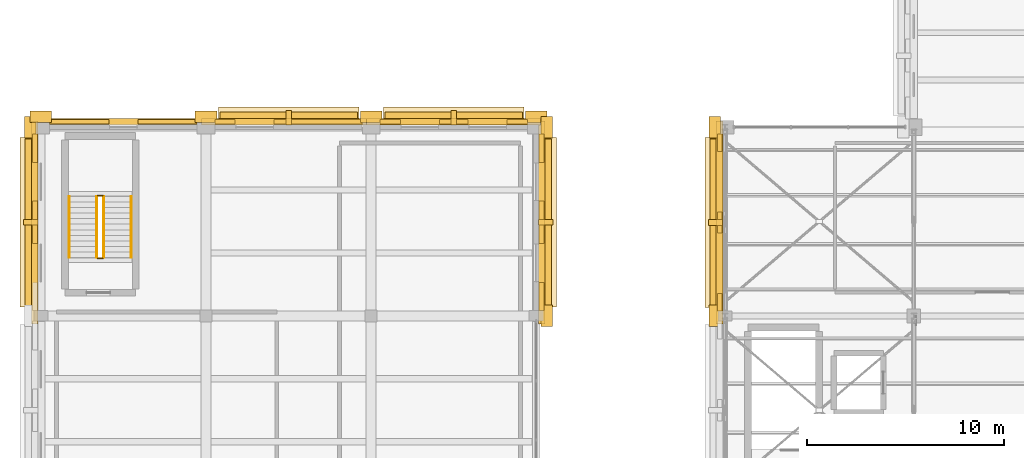
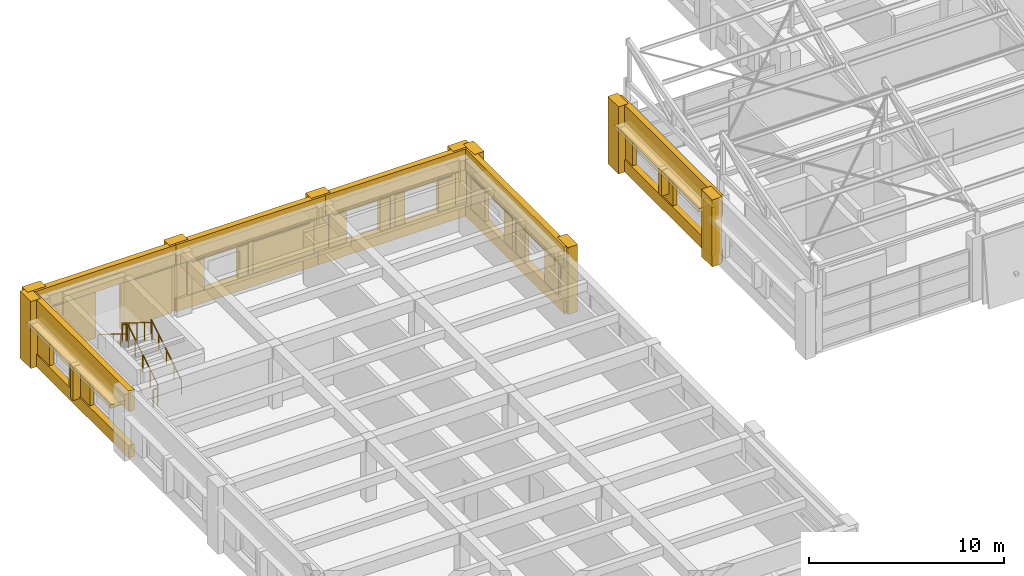
# One storey, part 54 of 58: 45 coverings, 6 railings, 5 shading devices.
"""IFC4 building model written with IfcOpenShell, lengths in metres."""

from ifc_helpers import new_model, si_unit, direction, frame, origin, origin_2d, place, context, subcontext, project, spatial, rectangle, circle, extrude, material, layer, layer_set, type_object, element, save


model = new_model("IFC4")

# Units and contexts
model_context = context("Model", 3, precision=1e-05, world=origin(), true_north=direction((0.0, 1.0)))
body_context = subcontext(model_context, "Body", "Model", "MODEL_VIEW")
ifc_project = project(units=[si_unit("LENGTHUNIT", "METRE"), si_unit("AREAUNIT", "SQUARE_METRE"), si_unit("VOLUMEUNIT", "CUBIC_METRE"), si_unit("PLANEANGLEUNIT", "RADIAN"), si_unit("MASSUNIT", "GRAM", prefix="KILO")], contexts=[model_context])

# Site, building, storey
site_placement = place(None, origin())
site = spatial("IfcSite", under=ifc_project, at=site_placement, CompositionType="ELEMENT")
building_placement = place(site_placement, origin())
building = spatial("IfcBuilding", under=site, at=building_placement, Name="Bempovik Park Faculty of Sciences", CompositionType="ELEMENT")
storey_placement = place(building_placement, frame((0.0, 0.0, 18.300048828125)))
storey = spatial("IfcBuildingStorey", under=building, at=storey_placement, Name="L04", CompositionType="ELEMENT", Elevation=18.300048828125)

# Coverings
ifc_material_1 = material(Name="Precast concrete C40/50", Category="concrete")
ifc_layer_1 = layer(ifc_material_1, 0.179931640625)
ifc_layer_set_1 = layer_set([ifc_layer_1], Name="Precast concrete C40/50")
covering_type_1 = type_object("IfcCoveringType", Name="CL-02 Classical Cornice Band 180mm", PredefinedType="CLADDING", material=ifc_layer_set_1)
covering_1_placement = place(storey_placement, frame((15.0, 82.159912109375, 2.81005859375), z_axis=(0.0, 0.0, 1.0), x_axis=(1.0, 0.0, 0.0)))
element("IfcCovering", 1, at=covering_1_placement, inside=storey, type_object=covering_type_1, Name="L04 Classical Stone Solar Window Hood EW-L04-9340", PredefinedType="CLADDING", context=body_context, shape_type="SweptSolid", body=[
    extrude(rectangle(XDim=0.919921875, YDim=8.6259765625, at=origin_2d()), origin(), (0.0, 0.0, 1.0), 0.219970703125),
])
for number, where, z_axis, x_axis, name in (
    (2, (28.199951171875, 87.570068359375, 2.81005859375), (0.0, 0.0, 1.0), (1.0, 0.0, 0.0), "L04 Classical Stone Solar Window Hood EW-L04-9359"),
    (3, (36.60009765625, 87.570068359375, 2.81005859375), (0.0, 0.0, 1.0), (1.0, 0.0, 0.0), "L04 Classical Stone Solar Window Hood EW-L04-9369"),
):
    element("IfcCovering", number, at=place(storey_placement, frame(where, z_axis=z_axis, x_axis=x_axis)), inside=storey, type_object=covering_type_1, Name=name, PredefinedType="CLADDING", context=body_context, shape_type="SweptSolid", body=[
        extrude(rectangle(XDim=7.14599609375, YDim=0.919921875, at=origin_2d()), origin(), (0.0, 0.0, 1.0), 0.219970703125),
    ])
covering_2_placement = place(storey_placement, frame((41.3701171875, 82.159912109375, 2.81005859375), z_axis=(0.0, 0.0, 1.0), x_axis=(1.0, 0.0, 0.0)))
element("IfcCovering", 4, at=covering_2_placement, inside=storey, type_object=covering_type_1, Name="L04 Classical Stone Solar Window Hood EW-L04-9430", PredefinedType="CLADDING", context=body_context, shape_type="SweptSolid", body=[
    extrude(rectangle(XDim=0.919921875, YDim=8.6259765625, at=origin_2d()), origin(), (0.0, 0.0, 1.0), 0.219970703125),
])
covering_3_placement = place(storey_placement, frame((49.830078125, 82.14990234375, 2.91015625), z_axis=(0.0, 0.0, 1.0), x_axis=(1.0, 0.0, 0.0)))
element("IfcCovering", 5, at=covering_3_placement, inside=storey, type_object=covering_type_1, Name="L04 Classical Stone Solar Window Hood EW-L04-9671", PredefinedType="CLADDING", context=body_context, shape_type="SweptSolid", body=[
    extrude(rectangle(XDim=0.919921875, YDim=8.64599609375, at=origin_2d()), origin(), (0.0, 0.0, 1.0), 0.219970703125),
])
ifc_material_2 = material(Name="White reconstituted limestone precast C40/50", Category="masonry")
ifc_layer_2 = layer(ifc_material_2, 0.239990234375)
ifc_layer_set_2 = layer_set([ifc_layer_2], Name="White reconstituted limestone precast C40/50")
covering_type_2 = type_object("IfcCoveringType", Name="CL-03 Classical Fluted Limestone Pilaster 240mm", PredefinedType="CLADDING", material=ifc_layer_set_2)
covering_4_placement = place(storey_placement, frame((15.2900390625, 82.159912109375, 2.919921875), z_axis=(0.0, 0.0, 1.0), x_axis=(1.0, 0.0, 0.0)))
element("IfcCovering", 6, at=covering_4_placement, inside=storey, type_object=covering_type_2, Name="L04 Classical Limestone Spandrel Entablature EW-L04-9340", PredefinedType="CLADDING", context=body_context, shape_type="SweptSolid", body=[
    extrude(rectangle(XDim=0.340087890625, YDim=10.325927734375, at=origin_2d()), origin(), (0.0, 0.0, 1.0), 1.280029296875),
])
covering_5_placement = place(storey_placement, frame((15.2900390625, 82.159912109375, 0.0), z_axis=(0.0, 0.0, 1.0), x_axis=(1.0, 0.0, 0.0)))
element("IfcCovering", 7, at=covering_5_placement, inside=storey, type_object=covering_type_2, Name="L04 Classical Limestone Sill Dado EW-L04-9340", PredefinedType="CLADDING", context=body_context, shape_type="SweptSolid", body=[
    extrude(rectangle(XDim=0.340087890625, YDim=10.325927734375, at=origin_2d()), origin(), (0.0, 0.0, 1.0), 0.780029296875),
])
covering_6_placement = place(storey_placement, frame((15.070068359375, 87.0, 0.0), z_axis=(0.0, 0.0, 1.0), x_axis=(1.0, 0.0, 0.0)))
element("IfcCovering", 8, at=covering_6_placement, inside=storey, type_object=covering_type_2, Name="L04 Classical Fluted Stone Pilaster PIL-BA-L04-151-870", PredefinedType="CLADDING", context=body_context, shape_type="SweptSolid", body=[
    extrude(rectangle(XDim=0.580078125, YDim=1.10009765625, at=origin_2d()), origin(), (0.0, 0.0, 1.0), 4.199951171875),
])
covering_7_placement = place(storey_placement, frame((15.300048828125, 82.159912109375, 0.0), z_axis=(0.0, 0.0, 1.0), x_axis=(1.0, 0.0, 0.0)))
element("IfcCovering", 9, at=covering_7_placement, inside=storey, type_object=covering_type_2, Name="L04 White Limestone Wall Cheek EW-L04-9340-2", PredefinedType="CLADDING", context=body_context, shape_type="SweptSolid", body=[
    extrude(rectangle(XDim=0.239990234375, YDim=2.14892578125, at=origin_2d()), origin(), (0.0, 0.0, 1.0), 3.080078125),
])
covering_8_placement = place(storey_placement, frame((15.300048828125, 85.93115234375, 0.0), z_axis=(0.0, 0.0, 1.0), x_axis=(1.0, 0.0, 0.0)))
element("IfcCovering", 10, at=covering_8_placement, inside=storey, type_object=covering_type_2, Name="L04 White Limestone Wall Cheek EW-L04-9340-4", PredefinedType="CLADDING", context=body_context, shape_type="SweptSolid", body=[
    extrude(rectangle(XDim=0.239990234375, YDim=1.43359375, at=origin_2d()), origin(), (0.0, 0.0, 1.0), 3.080078125),
])
covering_9_placement = place(storey_placement, frame((15.090087890625, 82.159912109375, 0.699951171875), z_axis=(0.0, 0.0, 1.0), x_axis=(1.0, 0.0, 0.0)))
element("IfcCovering", 11, at=covering_9_placement, inside=storey, type_object=covering_type_2, Name="L04 Classical Vertical Stone Shading Fin EW-L04-9340", PredefinedType="CLADDING", context=body_context, shape_type="SweptSolid", body=[
    extrude(rectangle(XDim=0.719970703125, YDim=0.280029296875, at=origin_2d()), origin(), (0.0, 0.0, 1.0), 2.14990234375),
])
covering_10_placement = place(storey_placement, frame((19.800048828125, 87.280029296875, 2.919921875), z_axis=(0.0, 0.0, 1.0), x_axis=(1.0, 0.0, 0.0)))
element("IfcCovering", 12, at=covering_10_placement, inside=storey, type_object=covering_type_2, Name="L04 Classical Limestone Spandrel Entablature EW-L04-9352", PredefinedType="CLADDING", context=body_context, shape_type="SweptSolid", body=[
    extrude(rectangle(XDim=8.845947265625, YDim=0.340087890625, at=origin_2d()), origin(), (0.0, 0.0, 1.0), 1.280029296875),
])
for number, where, z_axis, x_axis, name in (
    (13, (15.60009765625, 87.530029296875, 0.0), (0.0, 0.0, 1.0), (1.0, 0.0, 0.0), "L04 Classical Fluted Stone Pilaster PIL-BA-L04-156-875"),
    (14, (24.0, 87.530029296875, 0.0), (0.0, 0.0, 1.0), (1.0, 0.0, 0.0), "L04 Classical Fluted Stone Pilaster PIL-BA-L04-240-875"),
):
    element("IfcCovering", number, at=place(storey_placement, frame(where, z_axis=z_axis, x_axis=x_axis)), inside=storey, type_object=covering_type_2, Name=name, PredefinedType="CLADDING", context=body_context, shape_type="SweptSolid", body=[
        extrude(rectangle(XDim=1.10009765625, YDim=0.580078125, at=origin_2d()), origin(), (0.0, 0.0, 1.0), 4.199951171875),
    ])
for number, where, z_axis, x_axis, name in (
    (15, (17.555908203125, 87.27001953125, 0.0), (0.0, 0.0, 1.0), (1.0, 0.0, 0.0), "L04 Stairwell White Limestone Cheek EW-L04-9352-1"),
    (16, (22.0439453125, 87.27001953125, 0.0), (0.0, 0.0, 1.0), (1.0, 0.0, 0.0), "L04 Stairwell White Limestone Cheek EW-L04-9352-2"),
):
    element("IfcCovering", number, at=place(storey_placement, frame(where, z_axis=z_axis, x_axis=x_axis)), inside=storey, type_object=covering_type_2, Name=name, PredefinedType="CLADDING", context=body_context, shape_type="SweptSolid", body=[
        extrude(rectangle(XDim=3.008056640625, YDim=0.239990234375, at=origin_2d()), origin(), (0.0, 0.0, 1.0), 3.080078125),
    ])
covering_11_placement = place(storey_placement, frame((28.199951171875, 87.280029296875, 2.919921875), z_axis=(0.0, 0.0, 1.0), x_axis=(1.0, 0.0, 0.0)))
element("IfcCovering", 17, at=covering_11_placement, inside=storey, type_object=covering_type_2, Name="L04 Classical Limestone Spandrel Entablature EW-L04-9359", PredefinedType="CLADDING", context=body_context, shape_type="SweptSolid", body=[
    extrude(rectangle(XDim=8.845947265625, YDim=0.340087890625, at=origin_2d()), origin(), (0.0, 0.0, 1.0), 1.280029296875),
])
covering_12_placement = place(storey_placement, frame((28.199951171875, 87.280029296875, 0.0), z_axis=(0.0, 0.0, 1.0), x_axis=(1.0, 0.0, 0.0)))
element("IfcCovering", 18, at=covering_12_placement, inside=storey, type_object=covering_type_2, Name="L04 Classical Limestone Sill Dado EW-L04-9359", PredefinedType="CLADDING", context=body_context, shape_type="SweptSolid", body=[
    extrude(rectangle(XDim=8.845947265625, YDim=0.340087890625, at=origin_2d()), origin(), (0.0, 0.0, 1.0), 0.780029296875),
])
covering_13_placement = place(storey_placement, frame((32.39990234375, 87.530029296875, 0.0), z_axis=(0.0, 0.0, 1.0), x_axis=(1.0, 0.0, 0.0)))
element("IfcCovering", 19, at=covering_13_placement, inside=storey, type_object=covering_type_2, Name="L04 Classical Fluted Stone Pilaster PIL-BA-L04-324-875", PredefinedType="CLADDING", context=body_context, shape_type="SweptSolid", body=[
    extrude(rectangle(XDim=1.10009765625, YDim=0.580078125, at=origin_2d()), origin(), (0.0, 0.0, 1.0), 4.199951171875),
])
covering_14_placement = place(storey_placement, frame((24.968994140625, 87.27001953125, 0.0), z_axis=(0.0, 0.0, 1.0), x_axis=(1.0, 0.0, 0.0)))
element("IfcCovering", 20, at=covering_14_placement, inside=storey, type_object=covering_type_2, Name="L04 White Limestone Wall Cheek EW-L04-9359-0", PredefinedType="CLADDING", context=body_context, shape_type="SweptSolid", body=[
    extrude(rectangle(XDim=1.033935546875, YDim=0.239990234375, at=origin_2d()), origin(), (0.0, 0.0, 1.0), 3.080078125),
])
covering_15_placement = place(storey_placement, frame((29.70703125, 87.27001953125, 0.0), z_axis=(0.0, 0.0, 1.0), x_axis=(1.0, 0.0, 0.0)))
element("IfcCovering", 21, at=covering_15_placement, inside=storey, type_object=covering_type_2, Name="L04 White Limestone Wall Cheek EW-L04-9359-2", PredefinedType="CLADDING", context=body_context, shape_type="SweptSolid", body=[
    extrude(rectangle(XDim=4.482177734375, YDim=0.239990234375, at=origin_2d()), origin(), (0.0, 0.0, 1.0), 3.080078125),
])
covering_16_placement = place(storey_placement, frame((28.199951171875, 87.47998046875, 0.699951171875), z_axis=(0.0, 0.0, 1.0), x_axis=(1.0, 0.0, 0.0)))
element("IfcCovering", 22, at=covering_16_placement, inside=storey, type_object=covering_type_2, Name="L04 Classical Vertical Stone Shading Fin EW-L04-9359", PredefinedType="CLADDING", context=body_context, shape_type="SweptSolid", body=[
    extrude(rectangle(XDim=0.280029296875, YDim=0.719970703125, at=origin_2d()), origin(), (0.0, 0.0, 1.0), 2.14990234375),
])
covering_17_placement = place(storey_placement, frame((36.60009765625, 87.280029296875, 2.919921875), z_axis=(0.0, 0.0, 1.0), x_axis=(1.0, 0.0, 0.0)))
element("IfcCovering", 23, at=covering_17_placement, inside=storey, type_object=covering_type_2, Name="L04 Classical Limestone Spandrel Entablature EW-L04-9369", PredefinedType="CLADDING", context=body_context, shape_type="SweptSolid", body=[
    extrude(rectangle(XDim=8.845947265625, YDim=0.340087890625, at=origin_2d()), origin(), (0.0, 0.0, 1.0), 1.280029296875),
])
covering_18_placement = place(storey_placement, frame((36.60009765625, 87.280029296875, 0.0), z_axis=(0.0, 0.0, 1.0), x_axis=(1.0, 0.0, 0.0)))
element("IfcCovering", 24, at=covering_18_placement, inside=storey, type_object=covering_type_2, Name="L04 Classical Limestone Sill Dado EW-L04-9369", PredefinedType="CLADDING", context=body_context, shape_type="SweptSolid", body=[
    extrude(rectangle(XDim=8.845947265625, YDim=0.340087890625, at=origin_2d()), origin(), (0.0, 0.0, 1.0), 0.780029296875),
])
covering_19_placement = place(storey_placement, frame((40.800048828125, 87.530029296875, 0.0), z_axis=(0.0, 0.0, 1.0), x_axis=(1.0, 0.0, 0.0)))
element("IfcCovering", 25, at=covering_19_placement, inside=storey, type_object=covering_type_2, Name="L04 Classical Fluted Stone Pilaster PIL-BA-L04-408-875", PredefinedType="CLADDING", context=body_context, shape_type="SweptSolid", body=[
    extrude(rectangle(XDim=1.10009765625, YDim=0.580078125, at=origin_2d()), origin(), (0.0, 0.0, 1.0), 4.199951171875),
])
covering_20_placement = place(storey_placement, frame((33.368896484375, 87.27001953125, 0.0), z_axis=(0.0, 0.0, 1.0), x_axis=(1.0, 0.0, 0.0)))
element("IfcCovering", 26, at=covering_20_placement, inside=storey, type_object=covering_type_2, Name="L04 White Limestone Wall Cheek EW-L04-9369-0", PredefinedType="CLADDING", context=body_context, shape_type="SweptSolid", body=[
    extrude(rectangle(XDim=1.033935546875, YDim=0.239990234375, at=origin_2d()), origin(), (0.0, 0.0, 1.0), 3.080078125),
])
covering_21_placement = place(storey_placement, frame((36.60009765625, 87.27001953125, 0.0), z_axis=(0.0, 0.0, 1.0), x_axis=(1.0, 0.0, 0.0)))
element("IfcCovering", 27, at=covering_21_placement, inside=storey, type_object=covering_type_2, Name="L04 White Limestone Wall Cheek EW-L04-9369-2", PredefinedType="CLADDING", context=body_context, shape_type="SweptSolid", body=[
    extrude(rectangle(XDim=1.46826171875, YDim=0.239990234375, at=origin_2d()), origin(), (0.0, 0.0, 1.0), 3.080078125),
])
covering_22_placement = place(storey_placement, frame((39.8310546875, 87.27001953125, 0.0), z_axis=(0.0, 0.0, 1.0), x_axis=(1.0, 0.0, 0.0)))
element("IfcCovering", 28, at=covering_22_placement, inside=storey, type_object=covering_type_2, Name="L04 White Limestone Wall Cheek EW-L04-9369-4", PredefinedType="CLADDING", context=body_context, shape_type="SweptSolid", body=[
    extrude(rectangle(XDim=1.033935546875, YDim=0.239990234375, at=origin_2d()), origin(), (0.0, 0.0, 1.0), 3.080078125),
])
covering_23_placement = place(storey_placement, frame((36.60009765625, 87.47998046875, 0.699951171875), z_axis=(0.0, 0.0, 1.0), x_axis=(1.0, 0.0, 0.0)))
element("IfcCovering", 29, at=covering_23_placement, inside=storey, type_object=covering_type_2, Name="L04 Classical Vertical Stone Shading Fin EW-L04-9369", PredefinedType="CLADDING", context=body_context, shape_type="SweptSolid", body=[
    extrude(rectangle(XDim=0.280029296875, YDim=0.719970703125, at=origin_2d()), origin(), (0.0, 0.0, 1.0), 2.14990234375),
])
covering_24_placement = place(storey_placement, frame((41.080078125, 82.159912109375, 2.919921875), z_axis=(0.0, 0.0, 1.0), x_axis=(1.0, 0.0, 0.0)))
element("IfcCovering", 30, at=covering_24_placement, inside=storey, type_object=covering_type_2, Name="L04 Classical Limestone Spandrel Entablature EW-L04-9430", PredefinedType="CLADDING", context=body_context, shape_type="SweptSolid", body=[
    extrude(rectangle(XDim=0.340087890625, YDim=10.325927734375, at=origin_2d()), origin(), (0.0, 0.0, 1.0), 1.280029296875),
])
covering_25_placement = place(storey_placement, frame((41.080078125, 82.159912109375, 0.0), z_axis=(0.0, 0.0, 1.0), x_axis=(1.0, 0.0, 0.0)))
element("IfcCovering", 31, at=covering_25_placement, inside=storey, type_object=covering_type_2, Name="L04 Classical Limestone Sill Dado EW-L04-9430", PredefinedType="CLADDING", context=body_context, shape_type="SweptSolid", body=[
    extrude(rectangle(XDim=0.340087890625, YDim=10.325927734375, at=origin_2d()), origin(), (0.0, 0.0, 1.0), 0.780029296875),
])
for number, where, z_axis, x_axis, name in (
    (32, (41.330078125, 77.39990234375, 0.0), (0.0, 0.0, 1.0), (1.0, 0.0, 0.0), "L04 Classical Fluted Stone Pilaster PIL-BA-L04-413-774"),
    (33, (41.330078125, 87.0, 0.0), (0.0, 0.0, 1.0), (1.0, 0.0, 0.0), "L04 Classical Fluted Stone Pilaster PIL-BA-L04-413-870"),
):
    element("IfcCovering", number, at=place(storey_placement, frame(where, z_axis=z_axis, x_axis=x_axis)), inside=storey, type_object=covering_type_2, Name=name, PredefinedType="CLADDING", context=body_context, shape_type="SweptSolid", body=[
        extrude(rectangle(XDim=0.580078125, YDim=1.10009765625, at=origin_2d()), origin(), (0.0, 0.0, 1.0), 4.199951171875),
    ])
covering_26_placement = place(storey_placement, frame((41.070068359375, 78.388916015625, 0.0), z_axis=(0.0, 0.0, 1.0), x_axis=(1.0, 0.0, 0.0)))
element("IfcCovering", 34, at=covering_26_placement, inside=storey, type_object=covering_type_2, Name="L04 White Limestone Wall Cheek EW-L04-9430-0", PredefinedType="CLADDING", context=body_context, shape_type="SweptSolid", body=[
    extrude(rectangle(XDim=0.239990234375, YDim=1.43359375, at=origin_2d()), origin(), (0.0, 0.0, 1.0), 3.080078125),
])
covering_27_placement = place(storey_placement, frame((41.070068359375, 82.159912109375, 0.0), z_axis=(0.0, 0.0, 1.0), x_axis=(1.0, 0.0, 0.0)))
element("IfcCovering", 35, at=covering_27_placement, inside=storey, type_object=covering_type_2, Name="L04 White Limestone Wall Cheek EW-L04-9430-2", PredefinedType="CLADDING", context=body_context, shape_type="SweptSolid", body=[
    extrude(rectangle(XDim=0.239990234375, YDim=2.14892578125, at=origin_2d()), origin(), (0.0, 0.0, 1.0), 3.080078125),
])
covering_28_placement = place(storey_placement, frame((41.070068359375, 85.93115234375, 0.0), z_axis=(0.0, 0.0, 1.0), x_axis=(1.0, 0.0, 0.0)))
element("IfcCovering", 36, at=covering_28_placement, inside=storey, type_object=covering_type_2, Name="L04 White Limestone Wall Cheek EW-L04-9430-4", PredefinedType="CLADDING", context=body_context, shape_type="SweptSolid", body=[
    extrude(rectangle(XDim=0.239990234375, YDim=1.43359375, at=origin_2d()), origin(), (0.0, 0.0, 1.0), 3.080078125),
])
covering_29_placement = place(storey_placement, frame((41.280029296875, 82.159912109375, 0.699951171875), z_axis=(0.0, 0.0, 1.0), x_axis=(1.0, 0.0, 0.0)))
element("IfcCovering", 37, at=covering_29_placement, inside=storey, type_object=covering_type_2, Name="L04 Classical Vertical Stone Shading Fin EW-L04-9430", PredefinedType="CLADDING", context=body_context, shape_type="SweptSolid", body=[
    extrude(rectangle(XDim=0.719970703125, YDim=0.280029296875, at=origin_2d()), origin(), (0.0, 0.0, 1.0), 2.14990234375),
])
covering_30_placement = place(storey_placement, frame((49.8701171875, 77.39990234375, 0.0), z_axis=(0.0, 0.0, 1.0), x_axis=(1.0, 0.0, 0.0)))
element("IfcCovering", 38, at=covering_30_placement, inside=storey, type_object=covering_type_2, Name="L04 Classical Fluted Stone Pilaster PIL-BA-L04-499-774", PredefinedType="CLADDING", context=body_context, shape_type="SweptSolid", body=[
    extrude(rectangle(XDim=0.580078125, YDim=1.10009765625, at=origin_2d()), origin(), (0.0, 0.0, 1.0), 4.199951171875),
])
covering_31_placement = place(storey_placement, frame((50.1201171875, 82.14990234375, 2.919921875), z_axis=(0.0, 0.0, 1.0), x_axis=(1.0, 0.0, 0.0)))
element("IfcCovering", 39, at=covering_31_placement, inside=storey, type_object=covering_type_2, Name="L04 Classical Limestone Spandrel Entablature EW-L04-9671", PredefinedType="CLADDING", context=body_context, shape_type="SweptSolid", body=[
    extrude(rectangle(XDim=0.340087890625, YDim=10.345947265625, at=origin_2d()), origin(), (0.0, 0.0, 1.0), 1.280029296875),
])
covering_32_placement = place(storey_placement, frame((50.1201171875, 82.14990234375, 0.0), z_axis=(0.0, 0.0, 1.0), x_axis=(1.0, 0.0, 0.0)))
element("IfcCovering", 40, at=covering_32_placement, inside=storey, type_object=covering_type_2, Name="L04 Classical Limestone Sill Dado EW-L04-9671", PredefinedType="CLADDING", context=body_context, shape_type="SweptSolid", body=[
    extrude(rectangle(XDim=0.340087890625, YDim=10.345947265625, at=origin_2d()), origin(), (0.0, 0.0, 1.0), 0.780029296875),
])
covering_33_placement = place(storey_placement, frame((49.8701171875, 87.0, 0.0), z_axis=(0.0, 0.0, 1.0), x_axis=(1.0, 0.0, 0.0)))
element("IfcCovering", 41, at=covering_33_placement, inside=storey, type_object=covering_type_2, Name="L04 Classical Fluted Stone Pilaster PIL-BA-L04-499-870", PredefinedType="CLADDING", context=body_context, shape_type="SweptSolid", body=[
    extrude(rectangle(XDim=0.580078125, YDim=1.10009765625, at=origin_2d()), origin(), (0.0, 0.0, 1.0), 4.199951171875),
])
covering_34_placement = place(storey_placement, frame((50.1298828125, 78.096435546875, 0.0), z_axis=(0.0, 0.0, 1.0), x_axis=(1.0, 0.0, 0.0)))
element("IfcCovering", 42, at=covering_34_placement, inside=storey, type_object=covering_type_2, Name="L04 White Limestone Wall Cheek EW-L04-9671-0", PredefinedType="CLADDING", context=body_context, shape_type="SweptSolid", body=[
    extrude(rectangle(XDim=0.239990234375, YDim=0.888916015625, at=origin_2d()), origin(), (0.0, 0.0, 1.0), 3.080078125),
])
covering_35_placement = place(storey_placement, frame((50.1298828125, 82.14990234375, 0.0), z_axis=(0.0, 0.0, 1.0), x_axis=(1.0, 0.0, 0.0)))
element("IfcCovering", 43, at=covering_35_placement, inside=storey, type_object=covering_type_2, Name="L04 White Limestone Wall Cheek EW-L04-9671-2", PredefinedType="CLADDING", context=body_context, shape_type="SweptSolid", body=[
    extrude(rectangle(XDim=0.239990234375, YDim=1.05810546875, at=origin_2d()), origin(), (0.0, 0.0, 1.0), 3.080078125),
])
covering_36_placement = place(storey_placement, frame((50.1298828125, 86.20361328125, 0.0), z_axis=(0.0, 0.0, 1.0), x_axis=(1.0, 0.0, 0.0)))
element("IfcCovering", 44, at=covering_36_placement, inside=storey, type_object=covering_type_2, Name="L04 White Limestone Wall Cheek EW-L04-9671-4", PredefinedType="CLADDING", context=body_context, shape_type="SweptSolid", body=[
    extrude(rectangle(XDim=0.239990234375, YDim=0.888916015625, at=origin_2d()), origin(), (0.0, 0.0, 1.0), 3.080078125),
])
covering_37_placement = place(storey_placement, frame((49.919921875, 82.14990234375, 1.300048828125), z_axis=(0.0, 0.0, 1.0), x_axis=(1.0, 0.0, 0.0)))
element("IfcCovering", 45, at=covering_37_placement, inside=storey, type_object=covering_type_2, Name="L04 Classical Vertical Stone Shading Fin EW-L04-9671", PredefinedType="CLADDING", context=body_context, shape_type="SweptSolid", body=[
    extrude(rectangle(XDim=0.719970703125, YDim=0.280029296875, at=origin_2d()), origin(), (0.0, 0.0, 1.0), 1.64990234375),
])

# Railings
ifc_material_3 = material(Name="Anodised architectural bronze")
railing_type_1 = type_object("IfcRailingType", Name="GR-01 Guardrail 1120mm", PredefinedType="GUARDRAIL", material=ifc_material_3)
railing_1_placement = place(storey_placement, frame((18.800048828125, 80.375, 0.175048828125)))
element("IfcRailing", 46, at=railing_1_placement, inside=storey, type_object=railing_type_1, Name="L04 ST-3 Stair Guard 1", PredefinedType="GUARDRAIL", context=body_context, shape_type="SweptSolid", body=[
    extrude(circle(Radius=0.02392578125, at=origin_2d()), frame((0.0, 0.0, 1.09619140625), z_axis=(0.0, 0.849080647218, 0.528263243582), x_axis=(-1.0, 0.0, 0.0)), (0.0, 0.0, 1.0), 3.6435546875),
    extrude(circle(Radius=0.02099609375, at=origin_2d()), origin(), (0.0, 0.0, 1.0), 1.072021484375),
    extrude(circle(Radius=0.02099609375, at=origin_2d()), frame((0.0, 0.7734375, 0.481201171875)), (0.0, 0.0, 1.0), 1.072021484375),
    extrude(circle(Radius=0.02099609375, at=origin_2d()), frame((0.0, 1.546875, 0.96240234375)), (0.0, 0.0, 1.0), 1.072021484375),
    extrude(circle(Radius=0.02099609375, at=origin_2d()), frame((0.0, 2.3203125, 1.443603515625)), (0.0, 0.0, 1.0), 1.072021484375),
    extrude(circle(Radius=0.02099609375, at=origin_2d()), frame((0.0, 3.09375, 1.9248046875)), (0.0, 0.0, 1.0), 1.072021484375),
])
railing_2_placement = place(storey_placement, frame((18.75, 83.518798828125, 2.099853515625)))
element("IfcRailing", 47, at=railing_2_placement, inside=storey, type_object=railing_type_1, Name="L04 ST-3 Stair Guard 2", PredefinedType="GUARDRAIL", context=body_context, shape_type="SweptSolid", body=[
    extrude(circle(Radius=0.02392578125, at=origin_2d()), frame((0.0, 0.0, 1.09619140625), z_axis=(-1.0, 0.0, 0.0), x_axis=(0.0, -1.0, 0.0)), (0.0, 0.0, 1.0), 0.25),
    extrude(circle(Radius=0.02099609375, at=origin_2d()), origin(), (0.0, 0.0, 1.0), 1.072021484375),
    extrude(circle(Radius=0.02099609375, at=origin_2d()), frame((-0.25, 0.0, 0.0)), (0.0, 0.0, 1.0), 1.072021484375),
])
railing_3_placement = place(storey_placement, frame((18.449951171875, 83.46875, 2.27490234375)))
element("IfcRailing", 48, at=railing_3_placement, inside=storey, type_object=railing_type_1, Name="L04 ST-3 Stair Guard 3", PredefinedType="GUARDRAIL", context=body_context, shape_type="SweptSolid", body=[
    extrude(circle(Radius=0.02392578125, at=origin_2d()), frame((0.0, 0.0, 1.09619140625), z_axis=(0.0, -0.84905059285, 0.528311547082), x_axis=(1.0, 0.0, 0.0)), (0.0, 0.0, 1.0), 3.643798828125),
    extrude(circle(Radius=0.02099609375, at=origin_2d()), origin(), (0.0, 0.0, 1.0), 1.072021484375),
    extrude(circle(Radius=0.02099609375, at=origin_2d()), frame((0.0, -0.7734375, 0.481201171875)), (0.0, 0.0, 1.0), 1.072021484375),
    extrude(circle(Radius=0.02099609375, at=origin_2d()), frame((0.0, -1.546875, 0.96240234375)), (0.0, 0.0, 1.0), 1.072021484375),
    extrude(circle(Radius=0.02099609375, at=origin_2d()), frame((0.0, -2.3203125, 1.44384765625)), (0.0, 0.0, 1.0), 1.072021484375),
    extrude(circle(Radius=0.02099609375, at=origin_2d()), frame((0.0, -3.09375, 1.925048828125)), (0.0, 0.0, 1.0), 1.072021484375),
])
railing_4_placement = place(storey_placement, frame((18.75, 80.324951171875, 0.0)))
element("IfcRailing", 49, at=railing_4_placement, inside=storey, type_object=railing_type_1, Name="L04 ST-3 Stair Guard 4", PredefinedType="GUARDRAIL", context=body_context, shape_type="SweptSolid", body=[
    extrude(circle(Radius=0.02392578125, at=origin_2d()), frame((0.0, 0.0, 1.09619140625), z_axis=(-1.0, 0.0, 0.0), x_axis=(0.0, -1.0, 0.0)), (0.0, 0.0, 1.0), 0.25),
    extrude(circle(Radius=0.02099609375, at=origin_2d()), origin(), (0.0, 0.0, 1.0), 1.072021484375),
    extrude(circle(Radius=0.02099609375, at=origin_2d()), frame((-0.25, 0.0, 0.0)), (0.0, 0.0, 1.0), 1.072021484375),
])
railing_type_2 = type_object("IfcRailingType", Name="HR-01 Wall Handrail 900mm", PredefinedType="HANDRAIL", material=ifc_material_3)
railing_5_placement = place(storey_placement, frame((20.199951171875, 80.375, 0.175048828125)))
element("IfcRailing", 50, at=railing_5_placement, inside=storey, type_object=railing_type_2, Name="L04 ST-3 Stair Handrail 1", PredefinedType="HANDRAIL", context=body_context, shape_type="SweptSolid", body=[
    extrude(circle(Radius=0.02392578125, at=origin_2d()), frame((0.0, 0.0, 0.8759765625), z_axis=(0.0, 0.849080647218, 0.528263243582), x_axis=(-1.0, 0.0, 0.0)), (0.0, 0.0, 1.0), 3.6435546875),
    extrude(circle(Radius=0.02099609375, at=origin_2d()), origin(), (0.0, 0.0, 1.0), 0.851806640625),
    extrude(circle(Radius=0.02099609375, at=origin_2d()), frame((0.0, 0.7734375, 0.481201171875)), (0.0, 0.0, 1.0), 0.851806640625),
    extrude(circle(Radius=0.02099609375, at=origin_2d()), frame((0.0, 1.546875, 0.96240234375)), (0.0, 0.0, 1.0), 0.851806640625),
    extrude(circle(Radius=0.02099609375, at=origin_2d()), frame((0.0, 2.3203125, 1.443603515625)), (0.0, 0.0, 1.0), 0.851806640625),
    extrude(circle(Radius=0.02099609375, at=origin_2d()), frame((0.0, 3.09375, 1.9248046875)), (0.0, 0.0, 1.0), 0.851806640625),
])
railing_6_placement = place(storey_placement, frame((17.050048828125, 83.46875, 2.27490234375)))
element("IfcRailing", 51, at=railing_6_placement, inside=storey, type_object=railing_type_2, Name="L04 ST-3 Stair Handrail 2", PredefinedType="HANDRAIL", context=body_context, shape_type="SweptSolid", body=[
    extrude(circle(Radius=0.02392578125, at=origin_2d()), frame((0.0, 0.0, 0.8759765625), z_axis=(0.0, -0.84905059285, 0.528311547082), x_axis=(1.0, 0.0, 0.0)), (0.0, 0.0, 1.0), 3.643798828125),
    extrude(circle(Radius=0.02099609375, at=origin_2d()), origin(), (0.0, 0.0, 1.0), 0.851806640625),
    extrude(circle(Radius=0.02099609375, at=origin_2d()), frame((0.0, -0.7734375, 0.481201171875)), (0.0, 0.0, 1.0), 0.851806640625),
    extrude(circle(Radius=0.02099609375, at=origin_2d()), frame((0.0, -1.546875, 0.96240234375)), (0.0, 0.0, 1.0), 0.851806640625),
    extrude(circle(Radius=0.02099609375, at=origin_2d()), frame((0.0, -2.3203125, 1.44384765625)), (0.0, 0.0, 1.0), 0.851806640625),
    extrude(circle(Radius=0.02099609375, at=origin_2d()), frame((0.0, -3.09375, 1.925048828125)), (0.0, 0.0, 1.0), 0.851806640625),
])

# Shading devices
ifc_layer_3 = layer(ifc_material_3, 0.06005859375)
ifc_layer_set_3 = layer_set([ifc_layer_3], Name="Anodised architectural bronze")
shading_device_type = type_object("IfcShadingDeviceType", Name="SH-01 Bronze Brise-Soleil Fin", PredefinedType="USERDEFINED", material=ifc_layer_set_3)
shading_device_1_placement = place(storey_placement, frame((15.1201171875, 82.159912109375, 2.75), z_axis=(0.0, 0.0, 1.0), x_axis=(1.0, 0.0, 0.0)))
element("IfcShadingDevice", 52, at=shading_device_1_placement, inside=storey, type_object=shading_device_type, Name="L04 Equatorial Bronze Brise-Soleil EW-L04-9340", ObjectType="BRISE SOLEIL", PredefinedType="USERDEFINED", context=body_context, shape_type="SweptSolid", body=[
    extrude(rectangle(XDim=0.64990234375, YDim=8.47607421875, at=origin_2d()), origin(), (0.0, 0.0, 1.0), 0.06005859375),
])
for number, where, z_axis, x_axis, name in (
    (53, (28.199951171875, 87.449951171875, 2.75), (0.0, 0.0, 1.0), (1.0, 0.0, 0.0), "L04 Equatorial Bronze Brise-Soleil EW-L04-9359"),
    (54, (36.60009765625, 87.449951171875, 2.75), (0.0, 0.0, 1.0), (1.0, 0.0, 0.0), "L04 Equatorial Bronze Brise-Soleil EW-L04-9369"),
):
    element("IfcShadingDevice", number, at=place(storey_placement, frame(where, z_axis=z_axis, x_axis=x_axis)), inside=storey, type_object=shading_device_type, Name=name, ObjectType="BRISE SOLEIL", PredefinedType="USERDEFINED", context=body_context, shape_type="SweptSolid", body=[
        extrude(rectangle(XDim=6.99609375, YDim=0.64990234375, at=origin_2d()), origin(), (0.0, 0.0, 1.0), 0.06005859375),
    ])
shading_device_2_placement = place(storey_placement, frame((41.25, 82.159912109375, 2.75), z_axis=(0.0, 0.0, 1.0), x_axis=(1.0, 0.0, 0.0)))
element("IfcShadingDevice", 55, at=shading_device_2_placement, inside=storey, type_object=shading_device_type, Name="L04 Equatorial Bronze Brise-Soleil EW-L04-9430", ObjectType="BRISE SOLEIL", PredefinedType="USERDEFINED", context=body_context, shape_type="SweptSolid", body=[
    extrude(rectangle(XDim=0.64990234375, YDim=8.47607421875, at=origin_2d()), origin(), (0.0, 0.0, 1.0), 0.06005859375),
])
shading_device_3_placement = place(storey_placement, frame((49.949951171875, 82.14990234375, 2.849853515625), z_axis=(0.0, 0.0, 1.0), x_axis=(1.0, 0.0, 0.0)))
element("IfcShadingDevice", 56, at=shading_device_3_placement, inside=storey, type_object=shading_device_type, Name="L04 Equatorial Bronze Brise-Soleil EW-L04-9671", ObjectType="BRISE SOLEIL", PredefinedType="USERDEFINED", context=body_context, shape_type="SweptSolid", body=[
    extrude(rectangle(XDim=0.64990234375, YDim=8.49609375, at=origin_2d()), origin(), (0.0, 0.0, 1.0), 0.06005859375),
])

save(model, "model.ifc")
